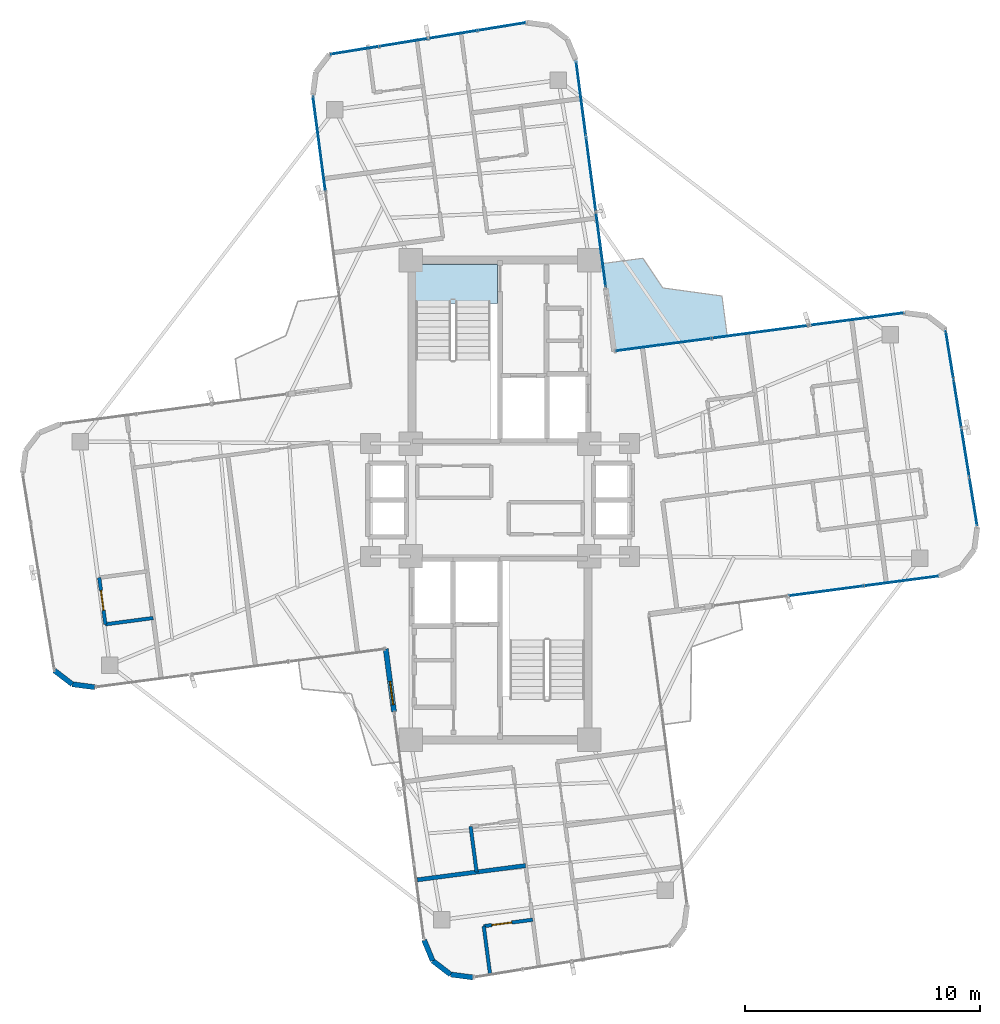
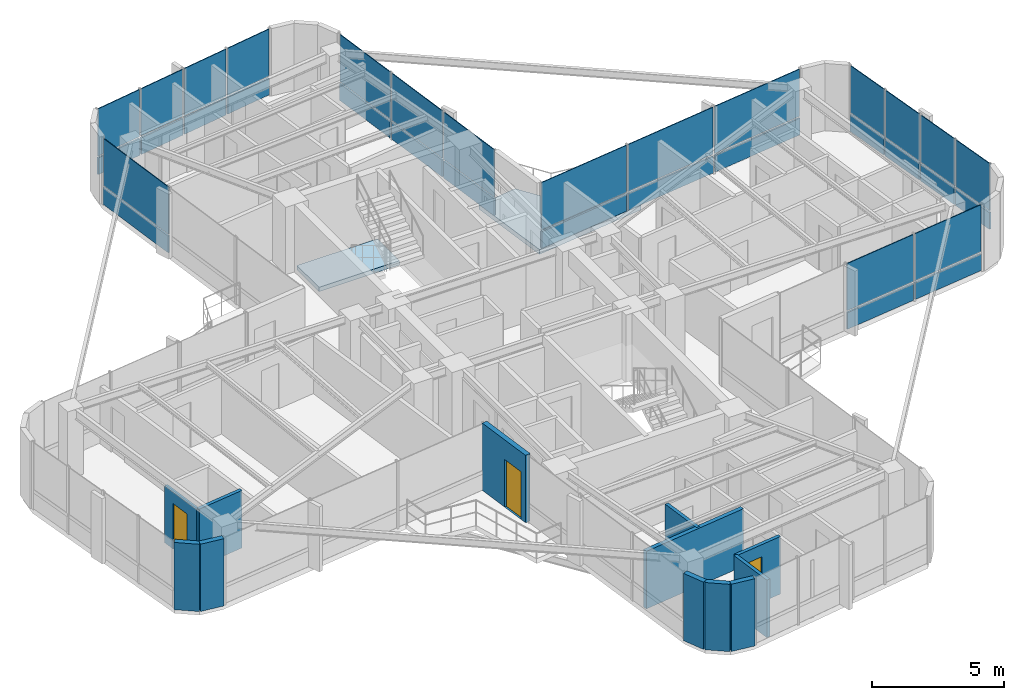
# One storey, part 17 of 22: 34 plates, 12 walls, 3 doors, 2 slabs, 3 openings, 6 elements without a shape of their own.
"""IFC4 building model written with IfcOpenShell, lengths in metres."""

from ifc_helpers import new_model, si_unit, direction, frame, frame_2d, origin, origin_2d, place, context, subcontext, project, spatial, polyline, rectangle, outline, extrude, source, transform, mapped, material, layer, layer_set, type_object, element, fill, aggregate, save


model = new_model("IFC4")

# Units and contexts
model_context = context("Model", 3, precision=1e-05, world=origin(), true_north=direction((0.0, 1.0)))
body_context = subcontext(model_context, "Body", "Model", "MODEL_VIEW")
ifc_project = project(units=[si_unit("LENGTHUNIT", "METRE"), si_unit("AREAUNIT", "SQUARE_METRE"), si_unit("VOLUMEUNIT", "CUBIC_METRE"), si_unit("PLANEANGLEUNIT", "RADIAN"), si_unit("MASSUNIT", "GRAM", prefix="KILO")], contexts=[model_context])

# Site, building, storey
site_placement = place(None, origin())
site = spatial("IfcSite", under=ifc_project, at=site_placement, CompositionType="ELEMENT")
building_placement = place(site_placement, origin())
building = spatial("IfcBuilding", under=site, at=building_placement, Name="Sahyath Konkavel Grand Hotel", CompositionType="ELEMENT")
storey_placement = place(building_placement, frame((0.0, 0.0, 223.25)))
storey = spatial("IfcBuildingStorey", under=building, at=storey_placement, Name="L62", CompositionType="ELEMENT", Elevation=223.25)

# Slabs
ifc_material_1 = material(Name="Concrete C40/50", Category="concrete")
ifc_layer_1 = layer(ifc_material_1, 0.219970703125)
ifc_layer_set_1 = layer_set([ifc_layer_1], Name="Concrete C40/50")
slab_type_1 = type_object("IfcSlabType", Name="SLB-BALCONY-220", PredefinedType="FLOOR", material=ifc_layer_set_1)
slab_1_placement = place(storey_placement, frame((0.0, 0.0, -0.219970703125)))
element("IfcSlab", 1, at=slab_1_placement, inside=storey, type_object=slab_type_1, Name="L62 Winter-Garden Balcony NE", PredefinedType="FLOOR", context=body_context, shape_type="SweptSolid", body=[
    extrude(outline(polyline([(4.857421875, 6.330078125), (9.661865234375, 6.962646484375), (9.43701171875, 8.671630859375), (6.918212890625, 9.01611328125), (6.076171875, 10.277099609375), (4.3671875, 10.052001953125), (4.857421875, 6.330078125)])), origin(), (0.0, 0.0, 1.0), 0.219970703125),
])
ifc_layer_2 = layer(ifc_material_1, 0.199951171875)
ifc_layer_set_2 = layer_set([ifc_layer_2], Name="Concrete C40/50")
slab_type_2 = type_object("IfcSlabType", Name="SLB-STAIR-LND", PredefinedType="LANDING", material=ifc_layer_set_2)
slab_2_placement = place(storey_placement, frame((0.0, 0.0, -0.199951171875)))
element("IfcSlab", 2, at=slab_2_placement, inside=storey, type_object=slab_type_2, Name="L62 Stair ST-1 Floor Landing Slab", PredefinedType="LANDING", context=body_context, shape_type="SweptSolid", body=[
    extrude(outline(polyline([(-3.6201171875, 8.35009765625), (-0.10009765625, 8.35009765625), (-0.10009765625, 10.02001953125), (-3.6201171875, 10.02001953125), (-3.6201171875, 8.35009765625)])), origin(), (0.0, 0.0, 1.0), 0.199951171875),
])

# Curtain wall, plates
ifc_material_2 = material(Name="Anodised Bronze Aluminium & Low-E Glazing", Category="aluminium")
curtain_wall_type = type_object("IfcCurtainWallType", Name="CW-ZONE4", PredefinedType="NOTDEFINED", material=ifc_material_2)
curtain_wall_1_placement = place(storey_placement, origin())
curtain_wall_1 = element("IfcCurtainWall", 3, at=curtain_wall_1_placement, inside=storey, type_object=curtain_wall_type, Name="L62 Unitised Curtain Wall F0", PredefinedType="NOTDEFINED")
ifc_material_3 = material(Name="Warm Buff Sandstone Cladding", Category="masonry")
ifc_layer_3 = layer(ifc_material_3, 0.074951171875)
ifc_layer_set_3 = layer_set([ifc_layer_3], Name="Warm Buff Sandstone Cladding")
plate_type_1 = type_object("IfcPlateType", Name="PNL-SPANDREL-STONE", PredefinedType="SHEET", material=ifc_layer_set_3)
shared_shape_1 = source(origin(), body_context, "Body", "SweptSolid", [
    extrude(rectangle(XDim=3.15380859375, YDim=0.074951171875, at=origin_2d()), origin(), (0.0, 0.0, 1.0), 0.77001953125),
])
plate_1_placement = place(storey_placement, frame((13.855712890625, -3.86669921875, 0.0400390625), z_axis=(0.0, 0.0, 1.0), x_axis=(0.991444861374, 0.13052619222, 0.0)))
plate_1 = element("IfcPlate", 4, at=plate_1_placement, type_object=plate_type_1, Name="L62 Sandstone Relief Spandrel Panel F0-1", PredefinedType="SHEET", context=body_context, shape_type="MappedRepresentation", body=[
    mapped(shared_shape_1, transform((0.0, 0.0, 0.0), scale=1.0)),
])
plate_2_placement = place(storey_placement, frame((17.061767578125, -3.4443359375, 0.0400390625), z_axis=(0.0, 0.0, 1.0), x_axis=(0.991444861374, 0.13052619222, 0.0)))
plate_2 = element("IfcPlate", 5, at=plate_2_placement, type_object=plate_type_1, Name="L62 Sandstone Relief Spandrel Panel F0-2", PredefinedType="SHEET", context=body_context, shape_type="MappedRepresentation", body=[
    mapped(shared_shape_1, transform((0.0, 0.0, 0.0), scale=1.0)),
])

curtain_wall_2_placement = place(storey_placement, origin())
curtain_wall_2 = element("IfcCurtainWall", 6, at=curtain_wall_2_placement, inside=storey, type_object=curtain_wall_type, Name="L62 Unitised Curtain Wall F8", PredefinedType="NOTDEFINED")
plate_3_placement = place(storey_placement, frame((4.288818359375, 10.64990234375, 0.0400390625), z_axis=(0.0, 0.0, 1.0), x_axis=(-0.13052619222, 0.991444861374, 0.0)))
plate_3 = element("IfcPlate", 7, at=plate_3_placement, type_object=plate_type_1, Name="L62 Sandstone Relief Spandrel Panel F8-0", PredefinedType="SHEET", context=body_context, shape_type="MappedRepresentation", body=[
    mapped(shared_shape_1, transform((0.0, 0.0, 0.0), scale=1.0)),
])
plate_4_placement = place(storey_placement, frame((3.86669921875, 13.855712890625, 0.0400390625), z_axis=(0.0, 0.0, 1.0), x_axis=(-0.13052619222, 0.991444861374, 0.0)))
plate_4 = element("IfcPlate", 8, at=plate_4_placement, type_object=plate_type_1, Name="L62 Sandstone Relief Spandrel Panel F8-1", PredefinedType="SHEET", context=body_context, shape_type="MappedRepresentation", body=[
    mapped(shared_shape_1, transform((0.0, 0.0, 0.0), scale=1.0)),
])
plate_5_placement = place(storey_placement, frame((3.4443359375, 17.061767578125, 0.0400390625), z_axis=(0.0, 0.0, 1.0), x_axis=(-0.13052619222, 0.991444861374, 0.0)))
plate_5 = element("IfcPlate", 9, at=plate_5_placement, type_object=plate_type_1, Name="L62 Sandstone Relief Spandrel Panel F8-2", PredefinedType="SHEET", context=body_context, shape_type="MappedRepresentation", body=[
    mapped(shared_shape_1, transform((0.0, 0.0, 0.0), scale=1.0)),
])

# Plate
ifc_material_4 = material(Name="Low-E Solar Control Double Glazing", Category="glass")
ifc_layer_4 = layer(ifc_material_4, 0.035888671875)
ifc_layer_set_4 = layer_set([ifc_layer_4], Name="Low-E Solar Control Double Glazing")
plate_type_2 = type_object("IfcPlateType", Name="PNL-VISION-LOWE", PredefinedType="CURTAIN_PANEL", material=ifc_layer_set_4)
shared_shape_2 = source(origin(), body_context, "Body", "SweptSolid", [
    extrude(rectangle(XDim=3.15380859375, YDim=0.035888671875, at=origin_2d()), origin(), (0.0, 0.0, 1.0), 2.179931640625),
])
plate_6_placement = place(storey_placement, frame((13.855712890625, -3.86669921875, 0.89013671875), z_axis=(0.0, 0.0, 1.0), x_axis=(0.991444861374, 0.13052619222, 0.0)))
plate_6 = element("IfcPlate", 10, at=plate_6_placement, type_object=plate_type_2, Name="L62 Low-E Vision Glazing Panel F0-1", PredefinedType="CURTAIN_PANEL", context=body_context, shape_type="MappedRepresentation", body=[
    mapped(shared_shape_2, transform((0.0, 0.0, 0.0), scale=1.0)),
])

plate_7_placement = place(storey_placement, frame((17.061767578125, -3.4443359375, 0.89013671875), z_axis=(0.0, 0.0, 1.0), x_axis=(0.991444861374, 0.13052619222, 0.0)))
plate_7 = element("IfcPlate", 11, at=plate_7_placement, type_object=plate_type_2, Name="L62 Low-E Vision Glazing Panel F0-2", PredefinedType="CURTAIN_PANEL", context=body_context, shape_type="MappedRepresentation", body=[
    mapped(shared_shape_2, transform((0.0, 0.0, 0.0), scale=1.0)),
])

aggregate(curtain_wall_1, [plate_1, plate_6, plate_2, plate_7])

plate_8_placement = place(storey_placement, frame((4.288818359375, 10.64990234375, 0.89013671875), z_axis=(0.0, 0.0, 1.0), x_axis=(-0.13052619222, 0.991444861374, 0.0)))
plate_8 = element("IfcPlate", 12, at=plate_8_placement, type_object=plate_type_2, Name="L62 Low-E Vision Glazing Panel F8-0", PredefinedType="CURTAIN_PANEL", context=body_context, shape_type="MappedRepresentation", body=[
    mapped(shared_shape_2, transform((0.0, 0.0, 0.0), scale=1.0)),
])

plate_9_placement = place(storey_placement, frame((3.86669921875, 13.855712890625, 0.89013671875), z_axis=(0.0, 0.0, 1.0), x_axis=(-0.13052619222, 0.991444861374, 0.0)))
plate_9 = element("IfcPlate", 13, at=plate_9_placement, type_object=plate_type_2, Name="L62 Low-E Vision Glazing Panel F8-1", PredefinedType="CURTAIN_PANEL", context=body_context, shape_type="MappedRepresentation", body=[
    mapped(shared_shape_2, transform((0.0, 0.0, 0.0), scale=1.0)),
])

plate_10_placement = place(storey_placement, frame((3.4443359375, 17.061767578125, 0.89013671875), z_axis=(0.0, 0.0, 1.0), x_axis=(-0.13052619222, 0.991444861374, 0.0)))
plate_10 = element("IfcPlate", 14, at=plate_10_placement, type_object=plate_type_2, Name="L62 Low-E Vision Glazing Panel F8-2", PredefinedType="CURTAIN_PANEL", context=body_context, shape_type="MappedRepresentation", body=[
    mapped(shared_shape_2, transform((0.0, 0.0, 0.0), scale=1.0)),
])

aggregate(curtain_wall_2, [plate_3, plate_8, plate_4, plate_9, plate_5, plate_10])

# Curtain wall, plates
curtain_wall_3_placement = place(storey_placement, origin())
curtain_wall_3 = element("IfcCurtainWall", 15, at=curtain_wall_3_placement, inside=storey, type_object=curtain_wall_type, Name="L62 Unitised Curtain Wall F4", PredefinedType="NOTDEFINED")
shared_shape_3 = source(origin(), body_context, "Body", "SweptSolid", [
    extrude(rectangle(XDim=2.0283203125, YDim=0.074951171875, at=origin_2d()), origin(), (0.0, 0.0, 1.0), 0.77001953125),
])
plate_11_placement = place(storey_placement, frame((20.122802734375, -0.072509765625, 0.0400390625), z_axis=(0.0, 0.0, 1.0), x_axis=(-0.159347072199, 0.98722262463, 0.0)))
plate_11 = element("IfcPlate", 16, at=plate_11_placement, type_object=plate_type_1, Name="L62 Sandstone Relief Spandrel Panel F4-0", PredefinedType="SHEET", context=body_context, shape_type="MappedRepresentation", body=[
    mapped(shared_shape_3, transform((0.0, 0.0, 0.0), scale=1.0)),
])
plate_12_placement = place(storey_placement, frame((19.786865234375, 2.0087890625, 0.0400390625), z_axis=(0.0, 0.0, 1.0), x_axis=(-0.159347072199, 0.98722262463, 0.0)))
plate_12 = element("IfcPlate", 17, at=plate_12_placement, type_object=plate_type_1, Name="L62 Sandstone Relief Spandrel Panel F4-1", PredefinedType="SHEET", context=body_context, shape_type="MappedRepresentation", body=[
    mapped(shared_shape_3, transform((0.0, 0.0, 0.0), scale=1.0)),
])
plate_13_placement = place(storey_placement, frame((19.450927734375, 4.090087890625, 0.0400390625), z_axis=(0.0, 0.0, 1.0), x_axis=(-0.159347072199, 0.98722262463, 0.0)))
plate_13 = element("IfcPlate", 18, at=plate_13_placement, type_object=plate_type_1, Name="L62 Sandstone Relief Spandrel Panel F4-2", PredefinedType="SHEET", context=body_context, shape_type="MappedRepresentation", body=[
    mapped(shared_shape_3, transform((0.0, 0.0, 0.0), scale=1.0)),
])
plate_14_placement = place(storey_placement, frame((19.114990234375, 6.171142578125, 0.0400390625), z_axis=(0.0, 0.0, 1.0), x_axis=(-0.159347072199, 0.98722262463, 0.0)))
plate_14 = element("IfcPlate", 19, at=plate_14_placement, type_object=plate_type_1, Name="L62 Sandstone Relief Spandrel Panel F4-3", PredefinedType="SHEET", context=body_context, shape_type="MappedRepresentation", body=[
    mapped(shared_shape_3, transform((0.0, 0.0, 0.0), scale=1.0)),
])

curtain_wall_4_placement = place(storey_placement, origin())
curtain_wall_4 = element("IfcCurtainWall", 20, at=curtain_wall_4_placement, inside=storey, type_object=curtain_wall_type, Name="L62 Unitised Curtain Wall F12", PredefinedType="NOTDEFINED")
plate_15_placement = place(storey_placement, frame((0.072509765625, 20.122802734375, 0.0400390625), z_axis=(0.0, 0.0, 1.0), x_axis=(-0.98722262463, -0.159347072199, 0.0)))
plate_15 = element("IfcPlate", 21, at=plate_15_placement, type_object=plate_type_1, Name="L62 Sandstone Relief Spandrel Panel F12-0", PredefinedType="SHEET", context=body_context, shape_type="MappedRepresentation", body=[
    mapped(shared_shape_3, transform((0.0, 0.0, 0.0), scale=1.0)),
])
plate_16_placement = place(storey_placement, frame((-2.0087890625, 19.786865234375, 0.0400390625), z_axis=(0.0, 0.0, 1.0), x_axis=(-0.98722262463, -0.159347072199, 0.0)))
plate_16 = element("IfcPlate", 22, at=plate_16_placement, type_object=plate_type_1, Name="L62 Sandstone Relief Spandrel Panel F12-1", PredefinedType="SHEET", context=body_context, shape_type="MappedRepresentation", body=[
    mapped(shared_shape_3, transform((0.0, 0.0, 0.0), scale=1.0)),
])
plate_17_placement = place(storey_placement, frame((-4.090087890625, 19.450927734375, 0.0400390625), z_axis=(0.0, 0.0, 1.0), x_axis=(-0.98722262463, -0.159347072199, 0.0)))
plate_17 = element("IfcPlate", 23, at=plate_17_placement, type_object=plate_type_1, Name="L62 Sandstone Relief Spandrel Panel F12-2", PredefinedType="SHEET", context=body_context, shape_type="MappedRepresentation", body=[
    mapped(shared_shape_3, transform((0.0, 0.0, 0.0), scale=1.0)),
])
plate_18_placement = place(storey_placement, frame((-6.171142578125, 19.114990234375, 0.0400390625), z_axis=(0.0, 0.0, 1.0), x_axis=(-0.98722262463, -0.159347072199, 0.0)))
plate_18 = element("IfcPlate", 24, at=plate_18_placement, type_object=plate_type_1, Name="L62 Sandstone Relief Spandrel Panel F12-3", PredefinedType="SHEET", context=body_context, shape_type="MappedRepresentation", body=[
    mapped(shared_shape_3, transform((0.0, 0.0, 0.0), scale=1.0)),
])

# Plate
shared_shape_4 = source(origin(), body_context, "Body", "SweptSolid", [
    extrude(rectangle(XDim=2.0283203125, YDim=0.035888671875, at=origin_2d()), origin(), (0.0, 0.0, 1.0), 2.179931640625),
])
plate_19_placement = place(storey_placement, frame((20.122802734375, -0.072509765625, 0.89013671875), z_axis=(0.0, 0.0, 1.0), x_axis=(-0.159347072199, 0.98722262463, 0.0)))
plate_19 = element("IfcPlate", 25, at=plate_19_placement, type_object=plate_type_2, Name="L62 Low-E Vision Glazing Panel F4-0", PredefinedType="CURTAIN_PANEL", context=body_context, shape_type="MappedRepresentation", body=[
    mapped(shared_shape_4, transform((0.0, 0.0, 0.0), scale=1.0)),
])

plate_20_placement = place(storey_placement, frame((19.786865234375, 2.0087890625, 0.89013671875), z_axis=(0.0, 0.0, 1.0), x_axis=(-0.159347072199, 0.98722262463, 0.0)))
plate_20 = element("IfcPlate", 26, at=plate_20_placement, type_object=plate_type_2, Name="L62 Low-E Vision Glazing Panel F4-1", PredefinedType="CURTAIN_PANEL", context=body_context, shape_type="MappedRepresentation", body=[
    mapped(shared_shape_4, transform((0.0, 0.0, 0.0), scale=1.0)),
])

plate_21_placement = place(storey_placement, frame((19.450927734375, 4.090087890625, 0.89013671875), z_axis=(0.0, 0.0, 1.0), x_axis=(-0.159347072199, 0.98722262463, 0.0)))
plate_21 = element("IfcPlate", 27, at=plate_21_placement, type_object=plate_type_2, Name="L62 Low-E Vision Glazing Panel F4-2", PredefinedType="CURTAIN_PANEL", context=body_context, shape_type="MappedRepresentation", body=[
    mapped(shared_shape_4, transform((0.0, 0.0, 0.0), scale=1.0)),
])

plate_22_placement = place(storey_placement, frame((19.114990234375, 6.171142578125, 0.89013671875), z_axis=(0.0, 0.0, 1.0), x_axis=(-0.159347072199, 0.98722262463, 0.0)))
plate_22 = element("IfcPlate", 28, at=plate_22_placement, type_object=plate_type_2, Name="L62 Low-E Vision Glazing Panel F4-3", PredefinedType="CURTAIN_PANEL", context=body_context, shape_type="MappedRepresentation", body=[
    mapped(shared_shape_4, transform((0.0, 0.0, 0.0), scale=1.0)),
])

aggregate(curtain_wall_3, [plate_11, plate_19, plate_12, plate_20, plate_13, plate_21, plate_14, plate_22])

plate_23_placement = place(storey_placement, frame((0.072509765625, 20.122802734375, 0.89013671875), z_axis=(0.0, 0.0, 1.0), x_axis=(-0.98722262463, -0.159347072199, 0.0)))
plate_23 = element("IfcPlate", 29, at=plate_23_placement, type_object=plate_type_2, Name="L62 Low-E Vision Glazing Panel F12-0", PredefinedType="CURTAIN_PANEL", context=body_context, shape_type="MappedRepresentation", body=[
    mapped(shared_shape_4, transform((0.0, 0.0, 0.0), scale=1.0)),
])

plate_24_placement = place(storey_placement, frame((-2.0087890625, 19.786865234375, 0.89013671875), z_axis=(0.0, 0.0, 1.0), x_axis=(-0.98722262463, -0.159347072199, 0.0)))
plate_24 = element("IfcPlate", 30, at=plate_24_placement, type_object=plate_type_2, Name="L62 Low-E Vision Glazing Panel F12-1", PredefinedType="CURTAIN_PANEL", context=body_context, shape_type="MappedRepresentation", body=[
    mapped(shared_shape_4, transform((0.0, 0.0, 0.0), scale=1.0)),
])

plate_25_placement = place(storey_placement, frame((-4.090087890625, 19.450927734375, 0.89013671875), z_axis=(0.0, 0.0, 1.0), x_axis=(-0.98722262463, -0.159347072199, 0.0)))
plate_25 = element("IfcPlate", 31, at=plate_25_placement, type_object=plate_type_2, Name="L62 Low-E Vision Glazing Panel F12-2", PredefinedType="CURTAIN_PANEL", context=body_context, shape_type="MappedRepresentation", body=[
    mapped(shared_shape_4, transform((0.0, 0.0, 0.0), scale=1.0)),
])

plate_26_placement = place(storey_placement, frame((-6.171142578125, 19.114990234375, 0.89013671875), z_axis=(0.0, 0.0, 1.0), x_axis=(-0.98722262463, -0.159347072199, 0.0)))
plate_26 = element("IfcPlate", 32, at=plate_26_placement, type_object=plate_type_2, Name="L62 Low-E Vision Glazing Panel F12-3", PredefinedType="CURTAIN_PANEL", context=body_context, shape_type="MappedRepresentation", body=[
    mapped(shared_shape_4, transform((0.0, 0.0, 0.0), scale=1.0)),
])

aggregate(curtain_wall_4, [plate_15, plate_23, plate_16, plate_24, plate_17, plate_25, plate_18, plate_26])

# Curtain wall, plates
curtain_wall_5_placement = place(storey_placement, origin())
curtain_wall_5 = element("IfcCurtainWall", 33, at=curtain_wall_5_placement, inside=storey, type_object=curtain_wall_type, Name="L62 Unitised Curtain Wall F7", PredefinedType="NOTDEFINED")
shared_shape_5 = source(origin(), body_context, "Body", "SweptSolid", [
    extrude(rectangle(XDim=4.0537109375, YDim=0.074951171875, at=origin_2d()), origin(), (0.0, 0.0, 1.0), 0.77001953125),
])
plate_27_placement = place(storey_placement, frame((15.142578125, 7.684326171875, 0.0400390625), z_axis=(0.0, 0.0, 1.0), x_axis=(-0.991444861374, -0.13052619222, 0.0)))
plate_27 = element("IfcPlate", 34, at=plate_27_placement, type_object=plate_type_1, Name="L62 Sandstone Relief Spandrel Panel F7-0", PredefinedType="SHEET", context=body_context, shape_type="MappedRepresentation", body=[
    mapped(shared_shape_5, transform((0.0, 0.0, 0.0), scale=1.0)),
])
plate_28_placement = place(storey_placement, frame((11.04443359375, 7.144775390625, 0.0400390625), z_axis=(0.0, 0.0, 1.0), x_axis=(-0.991444861374, -0.13052619222, 0.0)))
plate_28 = element("IfcPlate", 35, at=plate_28_placement, type_object=plate_type_1, Name="L62 Sandstone Relief Spandrel Panel F7-1", PredefinedType="SHEET", context=body_context, shape_type="MappedRepresentation", body=[
    mapped(shared_shape_5, transform((0.0, 0.0, 0.0), scale=1.0)),
])
plate_29_placement = place(storey_placement, frame((6.9462890625, 6.605224609375, 0.0400390625), z_axis=(0.0, 0.0, 1.0), x_axis=(-0.991444861374, -0.13052619222, 0.0)))
plate_29 = element("IfcPlate", 36, at=plate_29_placement, type_object=plate_type_1, Name="L62 Sandstone Relief Spandrel Panel F7-2", PredefinedType="SHEET", context=body_context, shape_type="MappedRepresentation", body=[
    mapped(shared_shape_5, transform((0.0, 0.0, 0.0), scale=1.0)),
])

# Curtain wall, plate
curtain_wall_6_placement = place(storey_placement, origin())
curtain_wall_6 = element("IfcCurtainWall", 37, at=curtain_wall_6_placement, inside=storey, type_object=curtain_wall_type, Name="L62 Unitised Curtain Wall F15", PredefinedType="NOTDEFINED")
plate_30_placement = place(storey_placement, frame((-7.684326171875, 15.142578125, 0.0400390625), z_axis=(0.0, 0.0, 1.0), x_axis=(0.13052619222, -0.991444861374, 0.0)))
plate_30 = element("IfcPlate", 38, at=plate_30_placement, type_object=plate_type_1, Name="L62 Sandstone Relief Spandrel Panel F15-0", PredefinedType="SHEET", context=body_context, shape_type="MappedRepresentation", body=[
    mapped(shared_shape_5, transform((0.0, 0.0, 0.0), scale=1.0)),
])

# Plate
shared_shape_6 = source(origin(), body_context, "Body", "SweptSolid", [
    extrude(rectangle(XDim=4.0537109375, YDim=0.035888671875, at=origin_2d()), origin(), (0.0, 0.0, 1.0), 2.179931640625),
])
plate_31_placement = place(storey_placement, frame((15.142578125, 7.684326171875, 0.89013671875), z_axis=(0.0, 0.0, 1.0), x_axis=(-0.991444861374, -0.13052619222, 0.0)))
plate_31 = element("IfcPlate", 39, at=plate_31_placement, type_object=plate_type_2, Name="L62 Low-E Vision Glazing Panel F7-0", PredefinedType="CURTAIN_PANEL", context=body_context, shape_type="MappedRepresentation", body=[
    mapped(shared_shape_6, transform((0.0, 0.0, 0.0), scale=1.0)),
])

plate_32_placement = place(storey_placement, frame((11.04443359375, 7.144775390625, 0.89013671875), z_axis=(0.0, 0.0, 1.0), x_axis=(-0.991444861374, -0.13052619222, 0.0)))
plate_32 = element("IfcPlate", 40, at=plate_32_placement, type_object=plate_type_2, Name="L62 Low-E Vision Glazing Panel F7-1", PredefinedType="CURTAIN_PANEL", context=body_context, shape_type="MappedRepresentation", body=[
    mapped(shared_shape_6, transform((0.0, 0.0, 0.0), scale=1.0)),
])

plate_33_placement = place(storey_placement, frame((6.9462890625, 6.605224609375, 0.89013671875), z_axis=(0.0, 0.0, 1.0), x_axis=(-0.991444861374, -0.13052619222, 0.0)))
plate_33 = element("IfcPlate", 41, at=plate_33_placement, type_object=plate_type_2, Name="L62 Low-E Vision Glazing Panel F7-2", PredefinedType="CURTAIN_PANEL", context=body_context, shape_type="MappedRepresentation", body=[
    mapped(shared_shape_6, transform((0.0, 0.0, 0.0), scale=1.0)),
])

aggregate(curtain_wall_5, [plate_27, plate_31, plate_28, plate_32, plate_29, plate_33])

plate_34_placement = place(storey_placement, frame((-7.684326171875, 15.142578125, 0.89013671875), z_axis=(0.0, 0.0, 1.0), x_axis=(0.13052619222, -0.991444861374, 0.0)))
plate_34 = element("IfcPlate", 42, at=plate_34_placement, type_object=plate_type_2, Name="L62 Low-E Vision Glazing Panel F15-0", PredefinedType="CURTAIN_PANEL", context=body_context, shape_type="MappedRepresentation", body=[
    mapped(shared_shape_6, transform((0.0, 0.0, 0.0), scale=1.0)),
])

aggregate(curtain_wall_6, [plate_30, plate_34])

# Walls
ifc_material_5 = material(Name="Warm Buff Sandstone Insulated Concrete C40/50", Category="masonry")
ifc_layer_5 = layer(ifc_material_5, 0.219970703125)
ifc_layer_set_5 = layer_set([ifc_layer_5], Name="Warm Buff Sandstone Insulated Concrete C40/50")
wall_type_1 = type_object("IfcWallType", Name="WLL-BALC-THRESH", PredefinedType="STANDARD", material=ifc_layer_set_5)
for number, where, z_axis, x_axis, name in (
    (43, (-18.940673828125, -7.251220703125, 0.0), (0.0, 0.0, 1.0), (0.793343685778, -0.608774010809, 0.0), "L62 Rounded Corner Sandstone Pier 21"),
    (44, (-18.180908203125, -7.834228515625, 0.0), (0.0, 0.0, 1.0), (0.991444747987, -0.130527053476, 0.0), "L62 Rounded Corner Sandstone Pier 22"),
):
    element("IfcWall", number, at=place(storey_placement, frame(where, z_axis=z_axis, x_axis=x_axis)), inside=storey, type_object=wall_type_1, Name=name, PredefinedType="STANDARD", context=body_context, shape_type="SweptSolid", body=[
        extrude(rectangle(XDim=0.957763671875, YDim=0.219970703125, at=frame_2d((0.47900390625, 0.0))), origin(), (0.0, 0.0, 1.0), 3.110107421875),
    ])

# Wall, opening, door
wall_1_placement = place(storey_placement, frame((-4.857421875, -6.330078125, 0.0), z_axis=(0.0, 0.0, 1.0), x_axis=(0.130564442062, -0.991439824936, 0.0)))
wall_1 = element("IfcWall", 45, at=wall_1_placement, inside=storey, type_object=wall_type_1, Name="L62 Winter-Garden Threshold Wall 24", PredefinedType="STANDARD", context=body_context, shape_type="SweptSolid", body=[
    extrude(rectangle(XDim=2.7001953125, YDim=0.219970703125, at=frame_2d((1.35009765625, 0.0))), origin(), (0.0, 0.0, 1.0), 3.110107421875),
])
opening_1_placement = place(wall_1_placement, frame((1.39990234375, 0.0, 0.0)))
opening_1 = element("IfcOpeningElement", 46, at=opening_1_placement, cuts=wall_1, Name="Opening D-TR1", PredefinedType="OPENING", context=body_context, shape_type="SweptSolid", body=[
    extrude(rectangle(XDim=1.0, YDim=2.199951171875, at=frame_2d((0.5, 1.10009765625))), frame((0.0, 0.1201171875, 0.0), z_axis=(0.0, -1.0, 0.0), x_axis=(1.0, 0.0, 0.0)), (0.0, 0.0, 1.0), 0.239990234375),
])
door_type_1 = type_object("IfcDoorType", Name="DR-TERRACE-1000", OperationType="NOTDEFINED", PredefinedType="DOOR", material=ifc_material_2)
shared_shape_7 = source(origin(), body_context, "Body", "SweptSolid", [
    extrude(rectangle(XDim=1.0, YDim=0.050048828125, at=origin_2d()), origin(), (0.0, 0.0, 1.0), 2.199951171875),
])
door_1_placement = place(opening_1_placement, frame((0.5, 0.0, 0.0)))
door_1 = element("IfcDoor", 47, at=door_1_placement, inside=storey, type_object=door_type_1, Name="L62 Winter-Garden Terrace Door 24", OperationType="SINGLE_SWING_LEFT", OverallHeight=2.199951171875, OverallWidth=1.0, PredefinedType="DOOR", context=body_context, shape_type="MappedRepresentation", body=[
    mapped(shared_shape_7, transform((0.0, 0.0, 0.0), scale=1.0)),
])
fill(opening_1, door_1)

# Walls
for number, where, z_axis, x_axis, name in (
    (48, (-3.228271484375, -18.704345703125, 0.0), (0.0, 0.0, 1.0), (0.382659506909, -0.923889442397, 0.0), "L62 Rounded Corner Sandstone Pier 25"),
    (49, (-2.86181640625, -19.589111328125, 0.0), (0.0, 0.0, 1.0), (0.793343685778, -0.608774010809, 0.0), "L62 Rounded Corner Sandstone Pier 26"),
    (50, (-2.10205078125, -20.172119140625, 0.0), (0.0, 0.0, 1.0), (0.991444747987, -0.130527053476, 0.0), "L62 Rounded Corner Sandstone Pier 27"),
):
    element("IfcWall", number, at=place(storey_placement, frame(where, z_axis=z_axis, x_axis=x_axis)), inside=storey, type_object=wall_type_1, Name=name, PredefinedType="STANDARD", context=body_context, shape_type="SweptSolid", body=[
        extrude(rectangle(XDim=0.957763671875, YDim=0.219970703125, at=frame_2d((0.47900390625, 0.0))), origin(), (0.0, 0.0, 1.0), 3.110107421875),
    ])
ifc_material_6 = material(Name="Twin-Stud Acoustic Gypsum Plasterboard Partition")
ifc_layer_6 = layer(ifc_material_6, 0.179931640625)
ifc_layer_set_6 = layer_set([ifc_layer_6], Name="Twin-Stud Acoustic Gypsum Plasterboard Partition")
wall_type_2 = type_object("IfcWallType", Name="WLL-DEMISE-180", PredefinedType="PARTITIONING", material=ifc_layer_set_6)
wall_2_placement = place(storey_placement, frame((1.087890625, -15.5419921875, 0.0), z_axis=(0.0, 0.0, 1.0), x_axis=(-0.991443372348, -0.130537501998, 0.0)))
element("IfcWall", 51, at=wall_2_placement, inside=storey, type_object=wall_type_2, Name="L62 Partition S-S1R-DEM", PredefinedType="PARTITIONING", context=body_context, shape_type="SweptSolid", body=[
    extrude(rectangle(XDim=4.64208984375, YDim=0.179931640625, at=frame_2d((2.321044921875, 0.0))), origin(), (0.0, 0.0, 1.0), 2.659912109375),
])
ifc_material_7 = material(Name="Fire-Rated Gypsum Plasterboard Partition")
ifc_layer_7 = layer(ifc_material_7, 0.14990234375)
ifc_layer_set_7 = layer_set([ifc_layer_7], Name="Fire-Rated Gypsum Plasterboard Partition")
wall_type_3 = type_object("IfcWallType", Name="WLL-PART-150", PredefinedType="PARTITIONING", material=ifc_layer_set_7)
wall_3_placement = place(storey_placement, frame((-14.744140625, -5.017333984375, 0.0), z_axis=(0.0, 0.0, 1.0), x_axis=(-0.991444969909, -0.13052536781, 0.0)))
element("IfcWall", 52, at=wall_3_placement, inside=storey, type_object=wall_type_3, Name="L62 Partition W-WTIP-BN", PredefinedType="PARTITIONING", context=body_context, shape_type="SweptSolid", body=[
    extrude(rectangle(XDim=2.050048828125, YDim=0.14990234375, at=frame_2d((1.02490234375, 0.0))), origin(), (0.0, 0.0, 1.0), 2.659912109375),
])

# Wall, opening, door
wall_4_placement = place(storey_placement, frame((-17.03759765625, -3.302001953125, 0.0), z_axis=(0.0, 0.0, 1.0), x_axis=(0.130492404742, -0.991449308994, 0.0)))
wall_4 = element("IfcWall", 53, at=wall_4_placement, inside=storey, type_object=wall_type_3, Name="L62 Partition W-WTIP-BE", PredefinedType="PARTITIONING", context=body_context, shape_type="SweptSolid", body=[
    extrude(rectangle(XDim=2.0, YDim=0.14990234375, at=frame_2d((1.0, 0.0))), origin(), (0.0, 0.0, 1.0), 2.6298828125),
])
opening_2_placement = place(wall_4_placement, frame((0.550048828125, 0.0, 0.0)))
opening_2 = element("IfcOpeningElement", 54, at=opening_2_placement, cuts=wall_4, Name="Opening D-BT85", PredefinedType="OPENING", context=body_context, shape_type="SweptSolid", body=[
    extrude(rectangle(XDim=0.85009765625, YDim=2.10009765625, at=frame_2d((0.425048828125, 1.050048828125))), frame((0.0, 0.0849609375, 0.0), z_axis=(0.0, -1.0, 0.0), x_axis=(1.0, 0.0, 0.0)), (0.0, 0.0, 1.0), 0.169921875),
])
ifc_material_8 = material(Name="Moisture-Resistant Teak Bathroom Door")
door_type_2 = type_object("IfcDoorType", Name="DR-BATH-850", OperationType="NOTDEFINED", PredefinedType="DOOR", material=ifc_material_8)
shared_shape_8 = source(origin(), body_context, "Body", "SweptSolid", [
    extrude(rectangle(XDim=0.85009765625, YDim=0.050048828125, at=origin_2d()), origin(), (0.0, 0.0, 1.0), 2.10009765625),
])
door_2_placement = place(opening_2_placement, frame((0.425048828125, 0.0, 0.0)))
door_2 = element("IfcDoor", 55, at=door_2_placement, inside=storey, type_object=door_type_2, Name="L62 Door W-WTIP-BD", OperationType="SINGLE_SWING_RIGHT", OverallHeight=2.10009765625, OverallWidth=0.85009765625, PredefinedType="DOOR", context=body_context, shape_type="MappedRepresentation", body=[
    mapped(shared_shape_8, transform((0.0, 0.0, 0.0), scale=1.0)),
])
fill(opening_2, door_2)

# Wall
wall_5_placement = place(storey_placement, frame((-1.248779296875, -13.8818359375, 0.0), z_axis=(0.0, 0.0, 1.0), x_axis=(0.130516015122, -0.991446201161, 0.0)))
element("IfcWall", 56, at=wall_5_placement, inside=storey, type_object=wall_type_3, Name="L62 Partition S-S1R-BF", PredefinedType="PARTITIONING", context=body_context, shape_type="SweptSolid", body=[
    extrude(rectangle(XDim=1.950927734375, YDim=0.14990234375, at=frame_2d((0.9755859375, 0.0))), origin(), (0.0, 0.0, 1.0), 2.659912109375),
])

# Wall, opening, door
wall_6_placement = place(storey_placement, frame((1.39111328125, -17.843994140625, 0.0), z_axis=(0.0, 0.0, 1.0), x_axis=(-0.991440836415, -0.130556761174, 0.0)))
wall_6 = element("IfcWall", 57, at=wall_6_placement, inside=storey, type_object=wall_type_3, Name="L62 Partition S-S2R-BS", PredefinedType="PARTITIONING", context=body_context, shape_type="SweptSolid", body=[
    extrude(rectangle(XDim=2.10009765625, YDim=0.14990234375, at=frame_2d((1.050048828125, 0.0))), origin(), (0.0, 0.0, 1.0), 2.659912109375),
])
opening_3_placement = place(wall_6_placement, frame((0.89990234375, 0.0, 0.0)))
opening_3 = element("IfcOpeningElement", 58, at=opening_3_placement, cuts=wall_6, Name="Opening D-BT85", PredefinedType="OPENING", context=body_context, shape_type="SweptSolid", body=[
    extrude(rectangle(XDim=0.85009765625, YDim=2.10009765625, at=frame_2d((0.425048828125, 1.050048828125))), frame((0.0, 0.0849609375, 0.0), z_axis=(0.0, -1.0, 0.0), x_axis=(1.0, 0.0, 0.0)), (0.0, 0.0, 1.0), 0.169921875),
])
door_3_placement = place(opening_3_placement, frame((0.425048828125, 0.0, 0.0)))
door_3 = element("IfcDoor", 59, at=door_3_placement, inside=storey, type_object=door_type_2, Name="L62 Door S-S2R-BD", OperationType="SINGLE_SWING_LEFT", OverallHeight=2.10009765625, OverallWidth=0.85009765625, PredefinedType="DOOR", context=body_context, shape_type="MappedRepresentation", body=[
    mapped(shared_shape_8, transform((0.0, 0.0, 0.0), scale=1.0)),
])
fill(opening_3, door_3)

# Wall
wall_7_placement = place(storey_placement, frame((-0.69091796875, -18.1181640625, 0.0), z_axis=(0.0, 0.0, 1.0), x_axis=(0.13052536781, -0.991444969909, 0.0)))
element("IfcWall", 60, at=wall_7_placement, inside=storey, type_object=wall_type_3, Name="L62 Partition S-S2R-BF", PredefinedType="PARTITIONING", context=body_context, shape_type="SweptSolid", body=[
    extrude(rectangle(XDim=2.050048828125, YDim=0.14990234375, at=frame_2d((1.02490234375, 0.0))), origin(), (0.0, 0.0, 1.0), 2.659912109375),
])

save(model, "model.ifc")
